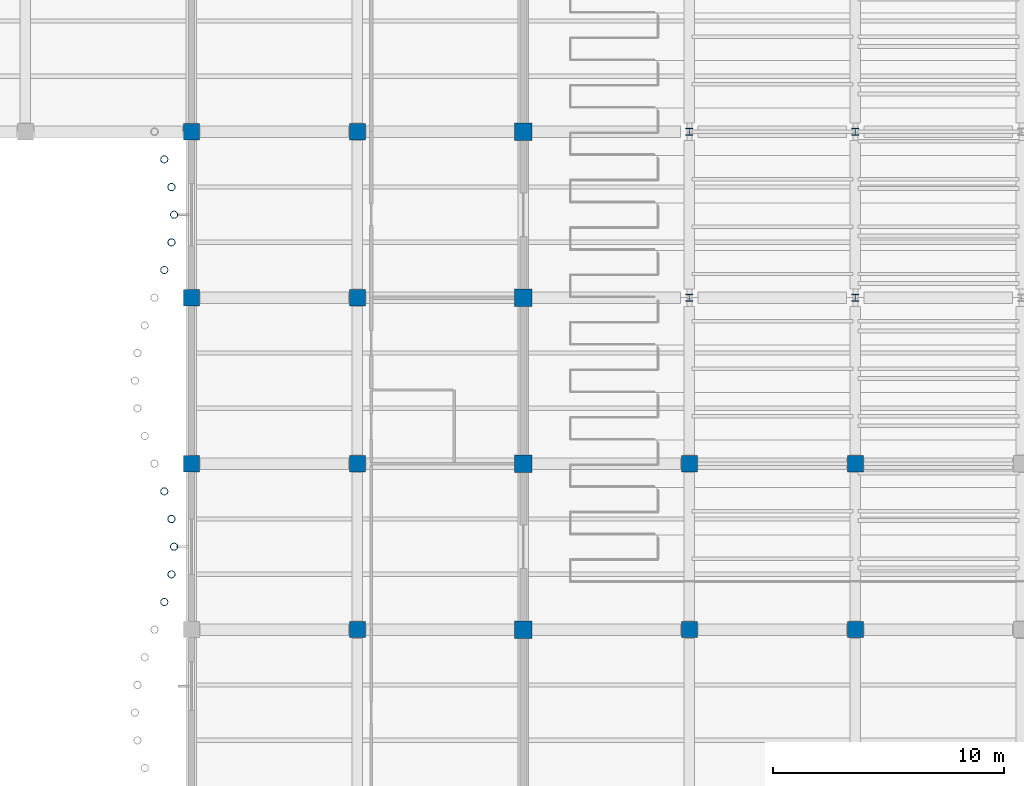
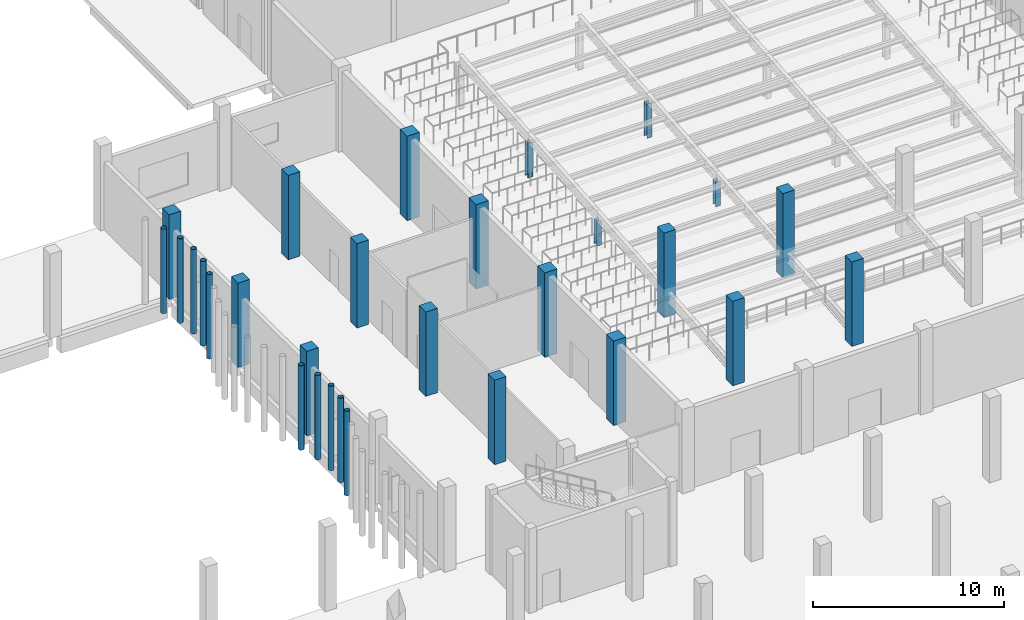
# One storey, part 6 of 46: 29 columns.
"""IFC4 building model written with IfcOpenShell, lengths in metres."""

from ifc_helpers import new_model, si_unit, direction, frame, origin, origin_2d, place, context, subcontext, project, spatial, rectangle, hollow_circle, i_section, extrude, material, material_profile, profile_set, type_object, element, save


model = new_model("IFC4")

# Units and contexts
model_context = context("Model", 3, precision=1e-05, world=origin(), true_north=direction((0.0, 1.0)))
body_context = subcontext(model_context, "Body", "Model", "MODEL_VIEW")
ifc_project = project(units=[si_unit("LENGTHUNIT", "METRE"), si_unit("AREAUNIT", "SQUARE_METRE"), si_unit("VOLUMEUNIT", "CUBIC_METRE"), si_unit("PLANEANGLEUNIT", "RADIAN"), si_unit("MASSUNIT", "GRAM", prefix="KILO"), si_unit("THERMODYNAMICTEMPERATUREUNIT", "KELVIN"), si_unit("POWERUNIT", "WATT")], contexts=[model_context])

# Site, building, storey
site_placement = place(None, origin())
site = spatial("IfcSite", under=ifc_project, at=site_placement, CompositionType="ELEMENT")
building_placement = place(site_placement, origin())
building = spatial("IfcBuilding", under=site, at=building_placement, Name="Kaldorven Railside Theatre", CompositionType="ELEMENT")
storey_placement = place(building_placement, origin())
storey = spatial("IfcBuildingStorey", under=building, at=storey_placement, Name="L00", CompositionType="ELEMENT", Elevation=0.0)

# Columns
ifc_material_1 = material(Name="Steel S355", Category="steel")
ifc_material_profile_1 = material_profile(ifc_material_1, hollow_circle(Radius=0.161865234375, WallThickness=0.01611328125, at=origin_2d()), Name="CHS 323.9x16")
ifc_profile_set_1 = profile_set([ifc_material_profile_1], Name="Steel S355")
column_type_1 = type_object("IfcColumnType", Name="COL-CHS324", PredefinedType="COLUMN", material=ifc_profile_set_1)
for number, where, z_axis, x_axis, name in (
    (1, (71.625, 49.199951171875, 0.0), (0.0, 0.0, 1.0), (1.0, 0.0, 0.0), "L00 Courtyard Flute Mullion Column CFS-047"),
    (2, (71.625, 54.0, 0.0), (0.0, 0.0, 1.0), (1.0, 0.0, 0.0), "L00 Courtyard Flute Mullion Column CFS-050"),
    (3, (71.625, 63.60009765625, 0.0), (0.0, 0.0, 1.0), (1.0, 0.0, 0.0), "L00 Courtyard Flute Mullion Column CFS-053"),
    (4, (71.625, 68.39990234375, 0.0), (0.0, 0.0, 1.0), (1.0, 0.0, 0.0), "L00 Courtyard Flute Mullion Column CFS-056"),
    (5, (71.93603515625, 50.39990234375, 0.0), (0.0, 0.0, 1.0), (1.0, 0.0, 0.0), "L00 Courtyard Flute Mullion Column CFS-059"),
    (6, (71.93603515625, 52.800048828125, 0.0), (0.0, 0.0, 1.0), (1.0, 0.0, 0.0), "L00 Courtyard Flute Mullion Column CFS-062"),
    (7, (71.93603515625, 64.800048828125, 0.0), (0.0, 0.0, 1.0), (1.0, 0.0, 0.0), "L00 Courtyard Flute Mullion Column CFS-065"),
    (8, (71.93603515625, 67.199951171875, 0.0), (0.0, 0.0, 1.0), (1.0, 0.0, 0.0), "L00 Courtyard Flute Mullion Column CFS-068"),
    (9, (72.050048828125, 51.60009765625, 0.0), (0.0, 0.0, 1.0), (1.0, 0.0, 0.0), "L00 Courtyard Flute Mullion Column CFS-071"),
    (10, (72.050048828125, 66.0, 0.0), (0.0, 0.0, 1.0), (1.0, 0.0, 0.0), "L00 Courtyard Flute Mullion Column CFS-074"),
):
    element("IfcColumn", number, at=place(storey_placement, frame(where, z_axis=z_axis, x_axis=x_axis)), inside=storey, type_object=column_type_1, Name=name, PredefinedType="COLUMN", context=body_context, shape_type="SweptSolid", body=[
        extrude(hollow_circle(Radius=0.161865234375, WallThickness=0.01611328125, at=origin_2d()), origin(), (0.0, 0.0, 1.0), 5.39990234375),
    ])
ifc_material_profile_2 = material_profile(ifc_material_1, i_section(OverallWidth=0.300048828125, OverallDepth=0.300048828125, WebThickness=0.010986328125, FlangeThickness=0.01904296875, at=origin_2d()), Name="HEB 300")
ifc_profile_set_2 = profile_set([ifc_material_profile_2], Name="Steel S355")
column_type_2 = type_object("IfcColumnType", Name="COL-HEB300", PredefinedType="COLUMN", material=ifc_profile_set_2)
column_1_placement = place(storey_placement, frame((94.39990234375, 62.39990234375, 0.0), z_axis=(0.0, 0.0, 1.0), x_axis=(1.0, 0.0, 0.0)))
element("IfcColumn", 11, at=column_1_placement, inside=storey, type_object=column_type_2, Name="Raker Support Stanchion V1S-1-03", PredefinedType="COLUMN", context=body_context, shape_type="SweptSolid", body=[
    extrude(i_section(OverallWidth=0.300048828125, OverallDepth=0.300048828125, WebThickness=0.010986328125, FlangeThickness=0.01904296875, at=origin_2d()), origin(), (0.0, 0.0, 1.0), 1.59521484375),
])
column_2_placement = place(storey_placement, frame((94.39990234375, 69.60009765625, 0.0), z_axis=(0.0, 0.0, 1.0), x_axis=(1.0, 0.0, 0.0)))
element("IfcColumn", 12, at=column_2_placement, inside=storey, type_object=column_type_2, Name="Raker Support Stanchion V1S-1-04", PredefinedType="COLUMN", context=body_context, shape_type="SweptSolid", body=[
    extrude(i_section(OverallWidth=0.300048828125, OverallDepth=0.300048828125, WebThickness=0.010986328125, FlangeThickness=0.01904296875, at=origin_2d()), origin(), (0.0, 0.0, 1.0), 2.22509765625),
])
column_3_placement = place(storey_placement, frame((101.60009765625, 62.39990234375, 0.0), z_axis=(0.0, 0.0, 1.0), x_axis=(1.0, 0.0, 0.0)))
element("IfcColumn", 13, at=column_3_placement, inside=storey, type_object=column_type_2, Name="Raker Support Stanchion V1S-2-03", PredefinedType="COLUMN", context=body_context, shape_type="SweptSolid", body=[
    extrude(i_section(OverallWidth=0.300048828125, OverallDepth=0.300048828125, WebThickness=0.010986328125, FlangeThickness=0.01904296875, at=origin_2d()), origin(), (0.0, 0.0, 1.0), 1.59521484375),
])
column_4_placement = place(storey_placement, frame((101.60009765625, 69.60009765625, 0.0), z_axis=(0.0, 0.0, 1.0), x_axis=(1.0, 0.0, 0.0)))
element("IfcColumn", 14, at=column_4_placement, inside=storey, type_object=column_type_2, Name="Raker Support Stanchion V1S-2-04", PredefinedType="COLUMN", context=body_context, shape_type="SweptSolid", body=[
    extrude(i_section(OverallWidth=0.300048828125, OverallDepth=0.300048828125, WebThickness=0.010986328125, FlangeThickness=0.01904296875, at=origin_2d()), origin(), (0.0, 0.0, 1.0), 2.22509765625),
])
ifc_material_2 = material(Name="Concrete C40/50", Category="concrete")
ifc_material_profile_3 = material_profile(ifc_material_2, rectangle(XDim=0.699951171875, YDim=0.699951171875, at=origin_2d()), Name="RC 700x700")
ifc_profile_set_3 = profile_set([ifc_material_profile_3], Name="Concrete C40/50")
column_type_3 = type_object("IfcColumnType", Name="COL-RC700", PredefinedType="COLUMN", material=ifc_profile_set_3)
for number, where, z_axis, x_axis, name in (
    (15, (80.0, 48.0, 0.0), (0.0, 0.0, 1.0), (1.0, 0.0, 0.0), "L00 Column CG-L00-080-048"),
    (16, (94.39990234375, 48.0, 0.0), (0.0, 0.0, 1.0), (1.0, 0.0, 0.0), "L00 Column CG-L00-094-048"),
    (17, (101.60009765625, 48.0, 0.0), (0.0, 0.0, 1.0), (0.0, 1.0, 0.0), "L00 Column CG-L00-101-048"),
    (18, (72.800048828125, 55.199951171875, 0.0), (0.0, 0.0, 1.0), (1.0, 0.0, 0.0), "L00 Column CG-L00-072-055"),
    (19, (80.0, 55.199951171875, 0.0), (0.0, 0.0, 1.0), (0.0, 1.0, 0.0), "L00 Column CG-L00-080-055"),
    (20, (94.39990234375, 55.199951171875, 0.0), (0.0, 0.0, 1.0), (0.0, 1.0, 0.0), "L00 Column CG-L00-094-055"),
    (21, (101.60009765625, 55.199951171875, 0.0), (0.0, 0.0, 1.0), (1.0, 0.0, 0.0), "L00 Column CG-L00-101-055"),
    (22, (72.800048828125, 62.39990234375, 0.0), (0.0, 0.0, 1.0), (0.0, 1.0, 0.0), "L00 Column CG-L00-072-062"),
    (23, (80.0, 62.39990234375, 0.0), (0.0, 0.0, 1.0), (1.0, 0.0, 0.0), "L00 Column CG-L00-080-062"),
    (24, (72.800048828125, 69.60009765625, 0.0), (0.0, 0.0, 1.0), (1.0, 0.0, 0.0), "L00 Column CG-L00-072-069"),
    (25, (80.0, 69.60009765625, 0.0), (0.0, 0.0, 1.0), (0.0, 1.0, 0.0), "L00 Column CG-L00-080-069"),
):
    element("IfcColumn", number, at=place(storey_placement, frame(where, z_axis=z_axis, x_axis=x_axis)), inside=storey, type_object=column_type_3, Name=name, PredefinedType="COLUMN", context=body_context, shape_type="SweptSolid", body=[
        extrude(rectangle(XDim=0.699951171875, YDim=0.699951171875, at=origin_2d()), origin(), (0.0, 0.0, 1.0), 5.39990234375),
    ])
ifc_material_profile_4 = material_profile(ifc_material_2, rectangle(XDim=0.75, YDim=0.75, at=origin_2d()), Name="RC 750x750")
ifc_profile_set_4 = profile_set([ifc_material_profile_4], Name="Concrete C40/50")
column_type_4 = type_object("IfcColumnType", Name="COL-RC750", PredefinedType="COLUMN", material=ifc_profile_set_4)
for number, where, z_axis, x_axis, name in (
    (26, (87.199951171875, 48.0, 0.0), (0.0, 0.0, 1.0), (0.0, 1.0, 0.0), "L00 Column CG-L00-087-048"),
    (27, (87.199951171875, 55.199951171875, 0.0), (0.0, 0.0, 1.0), (1.0, 0.0, 0.0), "L00 Column CG-L00-087-055"),
    (28, (87.199951171875, 62.39990234375, 0.0), (0.0, 0.0, 1.0), (0.0, 1.0, 0.0), "L00 Column CG-L00-087-062"),
    (29, (87.199951171875, 69.60009765625, 0.0), (0.0, 0.0, 1.0), (1.0, 0.0, 0.0), "L00 Column CG-L00-087-069"),
):
    element("IfcColumn", number, at=place(storey_placement, frame(where, z_axis=z_axis, x_axis=x_axis)), inside=storey, type_object=column_type_4, Name=name, PredefinedType="COLUMN", context=body_context, shape_type="SweptSolid", body=[
        extrude(rectangle(XDim=0.75, YDim=0.75, at=origin_2d()), origin(), (0.0, 0.0, 1.0), 5.39990234375),
    ])

save(model, "model.ifc")
